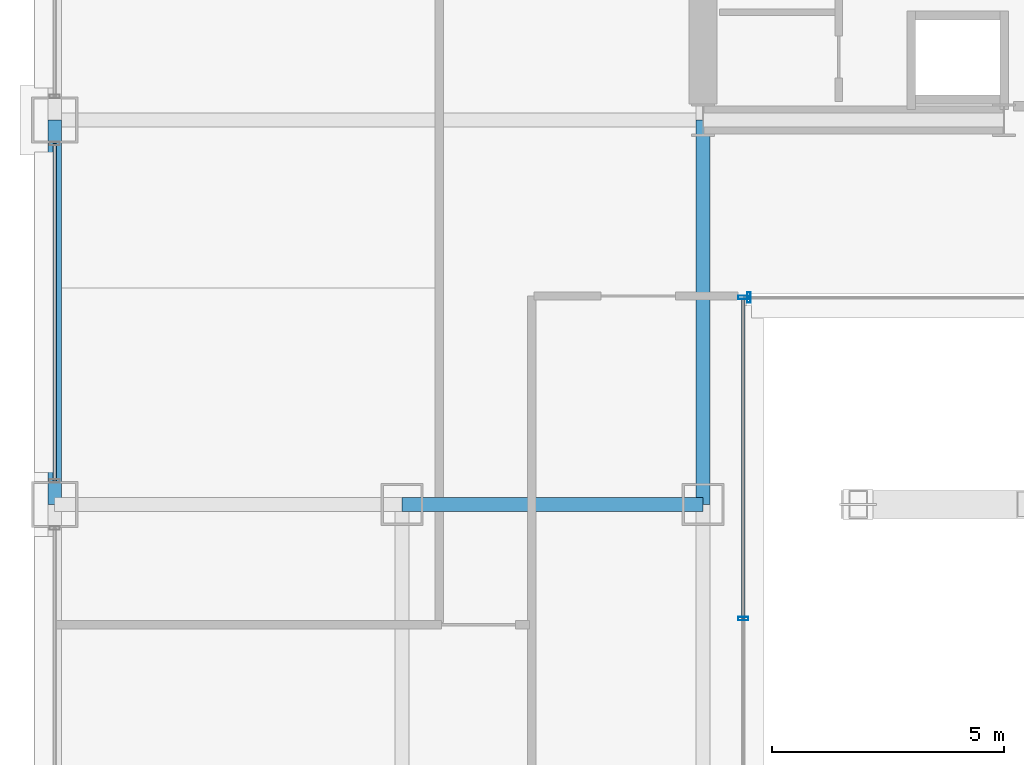
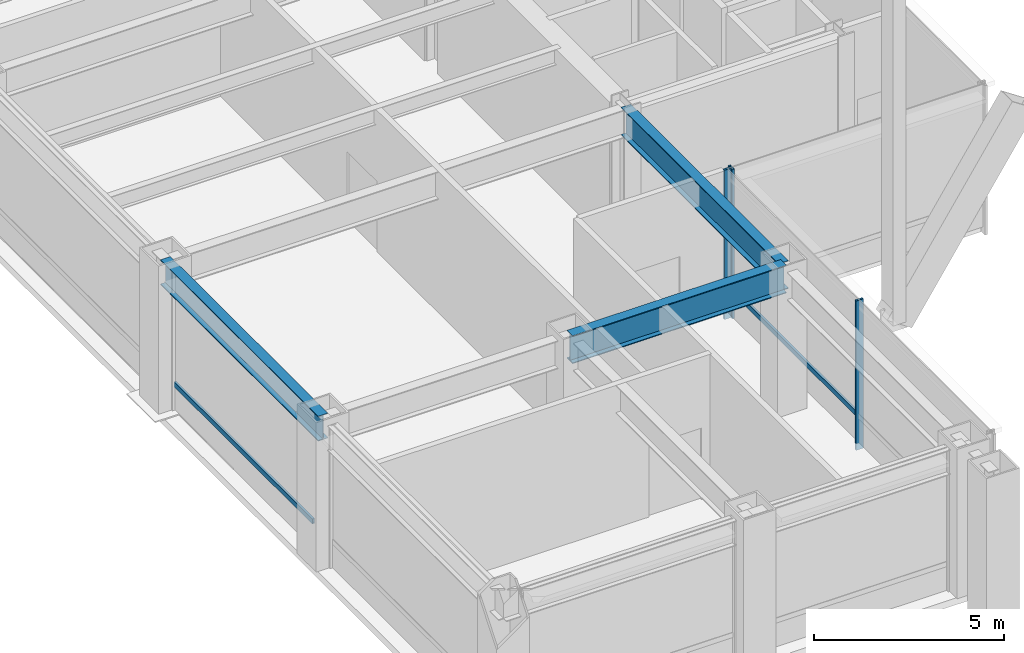
# One storey, part 3 of 40: 5 members, 3 beams, 3 elements without a shape of their own.
"""IFC4 building model written with IfcOpenShell, lengths in metres."""

from ifc_helpers import new_model, si_unit, direction, frame, origin, origin_2d, place, context, subcontext, project, spatial, hollow_rectangle, i_section, extrude, material, layer, layer_set, material_profile, profile_set, type_object, element, aggregate, save


model = new_model("IFC4")

# Units and contexts
model_context = context("Model", 3, precision=1e-05, world=origin(), true_north=direction((0.0, 1.0)))
body_context = subcontext(model_context, "Body", "Model", "MODEL_VIEW")
ifc_project = project(units=[si_unit("LENGTHUNIT", "METRE"), si_unit("AREAUNIT", "SQUARE_METRE"), si_unit("VOLUMEUNIT", "CUBIC_METRE"), si_unit("PLANEANGLEUNIT", "RADIAN"), si_unit("MASSUNIT", "GRAM", prefix="KILO")], contexts=[model_context])

# Site, building, storey
site_placement = place(None, origin())
site = spatial("IfcSite", under=ifc_project, at=site_placement, CompositionType="ELEMENT")
building_placement = place(site_placement, origin())
building = spatial("IfcBuilding", under=site, at=building_placement, Name="Brelmoor Portico Tower", CompositionType="ELEMENT")
storey_placement = place(building_placement, frame((0.0, 0.0, 4.800048828125)))
storey = spatial("IfcBuildingStorey", under=building, at=storey_placement, Name="L01", CompositionType="ELEMENT", Elevation=4.800048828125)

# Beams
ifc_material_1 = material(Name="Steel Q355B", Category="steel")
ifc_material_profile_1 = material_profile(ifc_material_1, i_section(OverallWidth=0.300048828125, OverallDepth=0.89990234375, WebThickness=0.01611328125, FlangeThickness=0.028076171875, at=origin_2d()), Name="HN 900x300x16x28")
ifc_profile_set_1 = profile_set([ifc_material_profile_1], Name="Steel Q355B")
beam_type_1 = type_object("IfcBeamType", Name="BM-PG-900", PredefinedType="BEAM", material=ifc_profile_set_1)
beam_1_placement = place(storey_placement, frame((-14.550048828125, -18.050048828125, 4.1298828125), z_axis=(0.0, 1.0, 0.0), x_axis=(-1.0, 0.0, 0.0)))
element("IfcBeam", 1, at=beam_1_placement, inside=storey, type_object=beam_type_1, Name="L01 Primary Floor Girder PG-05", PredefinedType="BEAM", context=body_context, shape_type="SweptSolid", body=[
    extrude(i_section(OverallWidth=0.300048828125, OverallDepth=0.89990234375, WebThickness=0.01611328125, FlangeThickness=0.028076171875, at=origin_2d()), origin(), (0.0, 0.0, 1.0), 8.300048828125),
])
beam_2_placement = place(storey_placement, frame((-21.050048828125, -18.050048828125, 4.1298828125), z_axis=(1.0, 0.0, 0.0), x_axis=(0.0, 1.0, 0.0)))
element("IfcBeam", 2, at=beam_2_placement, inside=storey, type_object=beam_type_1, Name="L01 Primary Floor Girder PG-22", PredefinedType="BEAM", context=body_context, shape_type="SweptSolid", body=[
    extrude(i_section(OverallWidth=0.300048828125, OverallDepth=0.89990234375, WebThickness=0.01611328125, FlangeThickness=0.028076171875, at=origin_2d()), origin(), (0.0, 0.0, 1.0), 6.5),
])
ifc_material_profile_2 = material_profile(ifc_material_1, i_section(OverallWidth=0.300048828125, OverallDepth=0.800048828125, WebThickness=0.013916015625, FlangeThickness=0.02587890625, at=origin_2d()), Name="HN 800x300x14x26")
ifc_profile_set_2 = profile_set([ifc_material_profile_2], Name="Steel Q355B")
beam_type_2 = type_object("IfcBeamType", Name="BM-SP-800", PredefinedType="SPANDREL", material=ifc_profile_set_2)
beam_3_placement = place(storey_placement, frame((-28.550048828125, -18.050048828125, 4.179931640625), z_axis=(0.0, 1.0, 0.0), x_axis=(-1.0, 0.0, 0.0)))
element("IfcBeam", 3, at=beam_3_placement, inside=storey, type_object=beam_type_2, Name="L01 Perimeter Spandrel Beam SP-10", PredefinedType="SPANDREL", context=body_context, shape_type="SweptSolid", body=[
    extrude(i_section(OverallWidth=0.300048828125, OverallDepth=0.800048828125, WebThickness=0.013916015625, FlangeThickness=0.02587890625, at=origin_2d()), origin(), (0.0, 0.0, 1.0), 8.300048828125),
])

# Curtain wall, members
ifc_material_2 = material(Name="Anodised Aluminium Alloy 6063-T6", Category="aluminium")
ifc_layer = layer(ifc_material_2, 0.179931640625)
ifc_layer_set = layer_set([ifc_layer], Name="Anodised Aluminium Alloy 6063-T6")
curtain_wall_type = type_object("IfcCurtainWallType", Name="CW-PODIUM-ARCH", PredefinedType="NOTDEFINED", material=ifc_layer_set)
curtain_wall_1_placement = place(storey_placement, origin())
curtain_wall_1 = element("IfcCurtainWall", 4, at=curtain_wall_1_placement, inside=storey, type_object=curtain_wall_type, Name="L01 Curtain Wall CW-L01-07", PredefinedType="NOTDEFINED")
ifc_material_profile_3 = material_profile(ifc_material_2, hollow_rectangle(XDim=0.074951171875, YDim=0.219970703125, WallThickness=0.0048828125, at=origin_2d()), Name="ALU MULLION 75x220")
ifc_profile_set_3 = profile_set([ifc_material_profile_3], Name="Anodised Aluminium Alloy 6063-T6")
member_type_1 = type_object("IfcMemberType", Name="MB-CW-MULL-220", PredefinedType="MULLION", material=ifc_profile_set_3)
member_1_placement = place(storey_placement, frame((-13.679931640625, -20.514892578125, -0.219970703125), z_axis=(0.0, 0.0, 1.0), x_axis=(0.0, 1.0, 0.0)))
member_1 = element("IfcMember", 5, at=member_1_placement, type_object=member_type_1, Name="CW-L01-07 Mullion 01", PredefinedType="MULLION", context=body_context, shape_type="SweptSolid", body=[
    extrude(hollow_rectangle(XDim=0.074951171875, YDim=0.219970703125, WallThickness=0.0048828125, at=origin_2d()), origin(), (0.0, 0.0, 1.0), 4.7998046875),
])
member_2_placement = place(storey_placement, frame((-13.679931640625, -13.580078125, -0.219970703125), z_axis=(0.0, 0.0, 1.0), x_axis=(0.0, 1.0, 0.0)))
member_2 = element("IfcMember", 6, at=member_2_placement, type_object=member_type_1, Name="CW-L01-07 Mullion 02", PredefinedType="MULLION", context=body_context, shape_type="SweptSolid", body=[
    extrude(hollow_rectangle(XDim=0.074951171875, YDim=0.219970703125, WallThickness=0.0048828125, at=origin_2d()), origin(), (0.0, 0.0, 1.0), 4.7998046875),
])

# Curtain wall, member
curtain_wall_2_placement = place(storey_placement, origin())
curtain_wall_2 = element("IfcCurtainWall", 7, at=curtain_wall_2_placement, inside=storey, type_object=curtain_wall_type, Name="L01 Curtain Wall CW-L01-11", PredefinedType="NOTDEFINED")
member_3_placement = place(storey_placement, frame((-13.56005859375, -13.580078125, -0.219970703125), z_axis=(0.0, 0.0, 1.0), x_axis=(1.0, 0.0, 0.0)))
member_3 = element("IfcMember", 8, at=member_3_placement, type_object=member_type_1, Name="CW-L01-11 Mullion 00", PredefinedType="MULLION", context=body_context, shape_type="SweptSolid", body=[
    extrude(hollow_rectangle(XDim=0.074951171875, YDim=0.219970703125, WallThickness=0.0048828125, at=origin_2d()), origin(), (0.0, 0.0, 1.0), 4.7998046875),
])
aggregate(curtain_wall_2, [member_3])

curtain_wall_3_placement = place(storey_placement, origin())
curtain_wall_3 = element("IfcCurtainWall", 9, at=curtain_wall_3_placement, inside=storey, type_object=curtain_wall_type, Name="L01 Curtain Wall CW-L01-05-2", PredefinedType="NOTDEFINED")
ifc_material_profile_4 = material_profile(ifc_material_2, hollow_rectangle(XDim=0.070068359375, YDim=0.159912109375, WallThickness=0.00390625, at=origin_2d()), Name="ALU TRANSOM 70x160")
ifc_profile_set_4 = profile_set([ifc_material_profile_4], Name="Anodised Aluminium Alloy 6063-T6")
member_type_2 = type_object("IfcMemberType", Name="MB-CW-TRAN-160", PredefinedType="USERDEFINED", material=ifc_profile_set_4)
member_4_placement = place(storey_placement, frame((-28.550048828125, -17.5400390625, 0.849853515625), z_axis=(0.0, 1.0, 0.0), x_axis=(-1.0, 0.0, 0.0)))
member_4 = element("IfcMember", 10, at=member_4_placement, type_object=member_type_2, Name="CW-L01-05-2 Transom 1-00", ObjectType="TRANSOM", PredefinedType="USERDEFINED", context=body_context, shape_type="SweptSolid", body=[
    extrude(hollow_rectangle(XDim=0.070068359375, YDim=0.159912109375, WallThickness=0.00390625, at=origin_2d()), origin(), (0.0, 0.0, 1.0), 7.280029296875),
])
aggregate(curtain_wall_3, [member_4])

# Member
member_5_placement = place(storey_placement, frame((-13.679931640625, -20.514892578125, 0.849853515625), z_axis=(0.0, 1.0, 0.0), x_axis=(-1.0, 0.0, 0.0)))
member_5 = element("IfcMember", 11, at=member_5_placement, type_object=member_type_2, Name="CW-L01-07 Transom 1-01", ObjectType="TRANSOM", PredefinedType="USERDEFINED", context=body_context, shape_type="SweptSolid", body=[
    extrude(hollow_rectangle(XDim=0.070068359375, YDim=0.159912109375, WallThickness=0.00390625, at=origin_2d()), origin(), (0.0, 0.0, 1.0), 6.934814453125),
])

aggregate(curtain_wall_1, [member_1, member_2, member_5])

save(model, "model.ifc")
